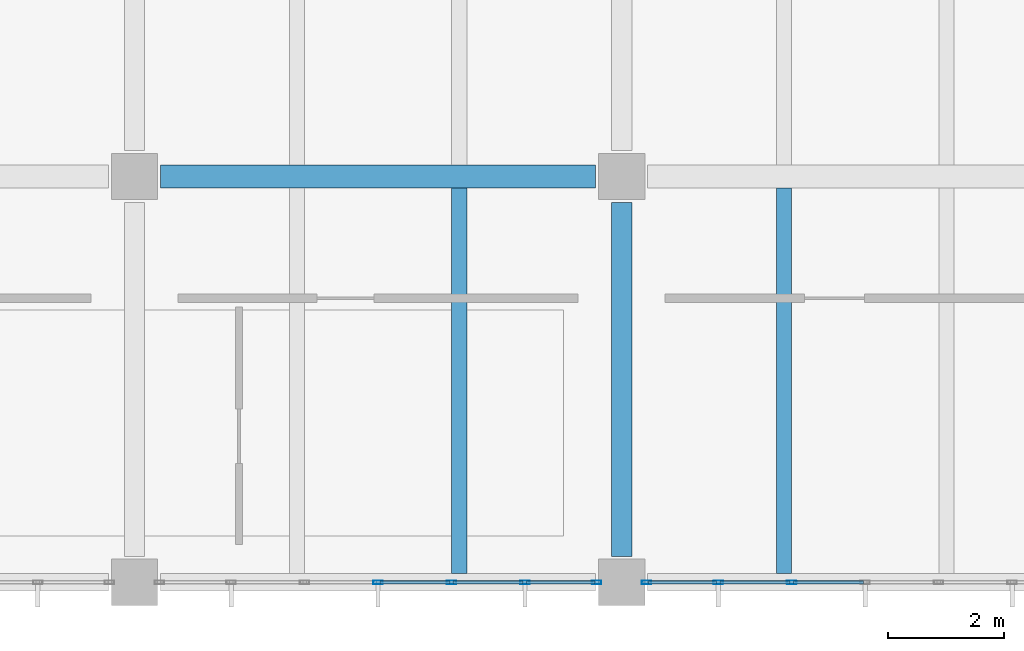
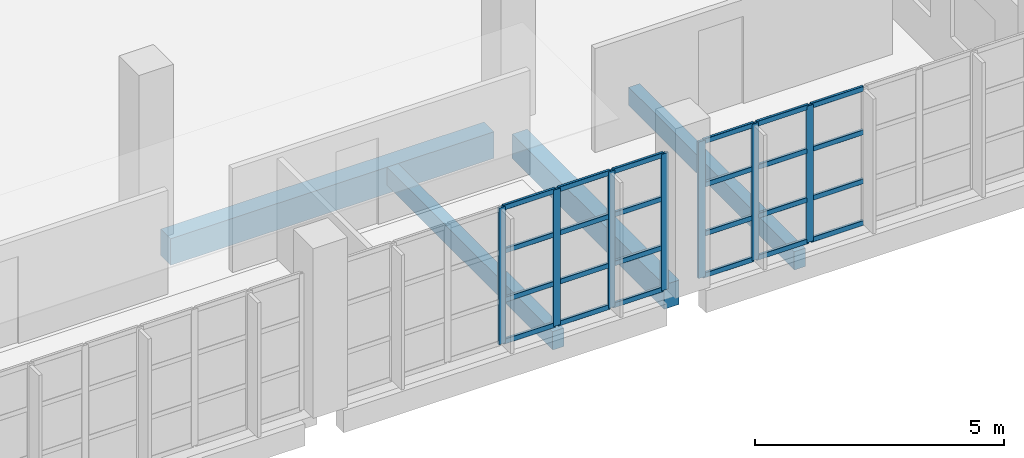
# One storey, part 42 of 177: 31 members, 4 beams, 2 elements without a shape of their own.
"""IFC4 building model written with IfcOpenShell, lengths in metres."""

from ifc_helpers import new_model, si_unit, direction, frame, origin, origin_2d, place, context, subcontext, project, spatial, rectangle, hollow_rectangle, extrude, material, layer, layer_set, material_profile, profile_set, type_object, element, aggregate, save


model = new_model("IFC4")

# Units and contexts
model_context = context("Model", 3, precision=1e-05, world=origin(), true_north=direction((0.0, 1.0)))
body_context = subcontext(model_context, "Body", "Model", "MODEL_VIEW")
ifc_project = project(units=[si_unit("LENGTHUNIT", "METRE"), si_unit("AREAUNIT", "SQUARE_METRE"), si_unit("VOLUMEUNIT", "CUBIC_METRE"), si_unit("PLANEANGLEUNIT", "RADIAN"), si_unit("MASSUNIT", "GRAM", prefix="KILO"), si_unit("THERMODYNAMICTEMPERATUREUNIT", "KELVIN"), si_unit("POWERUNIT", "WATT")], contexts=[model_context])

# Site, building, storey
site_placement = place(None, origin())
site = spatial("IfcSite", under=ifc_project, at=site_placement, CompositionType="ELEMENT")
building_placement = place(site_placement, origin())
building = spatial("IfcBuilding", under=site, at=building_placement, Name="Mavoryth Pier Ferry Terminal", CompositionType="ELEMENT")
storey_placement = place(building_placement, frame((0.0, 0.0, 5.43994140625)))
storey = spatial("IfcBuildingStorey", under=building, at=storey_placement, Name="L01", CompositionType="ELEMENT", Elevation=5.43994140625)

# Beams
ifc_material_1 = material(Name="Concrete C35/45", Category="concrete")
ifc_material_profile_1 = material_profile(ifc_material_1, rectangle(XDim=0.35009765625, YDim=0.60009765625, at=origin_2d()), Name="RC 350x600", Category="concrete")
ifc_profile_set_1 = profile_set([ifc_material_profile_1], Name="Concrete C35/45 - RC 350x600")
beam_type_1 = type_object("IfcBeamType", Name="Girder-RC-350x600", PredefinedType="BEAM", material=ifc_profile_set_1)
beam_1_placement = place(storey_placement, frame((84.0, 0.449951171875, -0.56005859375), z_axis=(0.0, 1.0, 0.0), x_axis=(-1.0, 0.0, 0.0)))
element("IfcBeam", 1, at=beam_1_placement, inside=storey, type_object=beam_type_1, Name="Beam B01-BG08-0549", PredefinedType="BEAM", context=body_context, shape_type="SweptSolid", body=[
    extrude(rectangle(XDim=0.35009765625, YDim=0.60009765625, at=origin_2d()), origin(), (0.0, 0.0, 1.0), 6.10009765625),
])
ifc_material_profile_2 = material_profile(ifc_material_1, rectangle(XDim=0.39990234375, YDim=0.64990234375, at=origin_2d()), Name="RC 400x650", Category="concrete")
ifc_profile_set_2 = profile_set([ifc_material_profile_2], Name="Concrete C35/45 - RC 400x650")
beam_type_2 = type_object("IfcBeamType", Name="Girder-RC-400x650", PredefinedType="BEAM", material=ifc_profile_set_2)
beam_2_placement = place(storey_placement, frame((76.050048828125, 7.0, -0.5849609375), z_axis=(1.0, 0.0, 0.0), x_axis=(0.0, 1.0, 0.0)))
element("IfcBeam", 2, at=beam_2_placement, inside=storey, type_object=beam_type_2, Name="Beam B01-BG05-0520", PredefinedType="BEAM", context=body_context, shape_type="SweptSolid", body=[
    extrude(rectangle(XDim=0.39990234375, YDim=0.64990234375, at=origin_2d()), origin(), (0.0, 0.0, 1.0), 7.5),
])
ifc_material_profile_3 = material_profile(ifc_material_1, rectangle(XDim=0.260009765625, YDim=0.449951171875, at=origin_2d()), Name="RC 260x450", Category="concrete")
ifc_profile_set_3 = profile_set([ifc_material_profile_3], Name="Concrete C35/45 - RC 260x450")
beam_type_3 = type_object("IfcBeamType", Name="Joist-RC-260x450", PredefinedType="JOIST", material=ifc_profile_set_3)
for number, where, z_axis, x_axis, name in (
    (3, (81.199951171875, 0.14990234375, -0.48486328125), (0.0, 1.0, 0.0), (-1.0, 0.0, 0.0), "Beam B01-BJ03-0576"),
    (4, (86.800048828125, 0.14990234375, -0.48486328125), (0.0, 1.0, 0.0), (-1.0, 0.0, 0.0), "Beam B01-BJ03-0581"),
):
    element("IfcBeam", number, at=place(storey_placement, frame(where, z_axis=z_axis, x_axis=x_axis)), inside=storey, type_object=beam_type_3, Name=name, PredefinedType="JOIST", context=body_context, shape_type="SweptSolid", body=[
        extrude(rectangle(XDim=0.260009765625, YDim=0.449951171875, at=origin_2d()), origin(), (0.0, 0.0, 1.0), 6.650146484375),
    ])

# Curtain wall, members
ifc_material_2 = material(Name="Anodised Aluminium and Solar-Control Low-E Glass", Category="aluminium")
ifc_layer = layer(ifc_material_2, 0.239990234375, Name="Anodised Aluminium and Solar-Control Low-E Glass", Category="aluminium")
ifc_layer_set = layer_set([ifc_layer], Name="Anodised Aluminium and Solar-Control Low-E Glass - CW-Operations-Mod1200")
curtain_wall_type = type_object("IfcCurtainWallType", Name="CW-Operations-Mod1200", PredefinedType="USERDEFINED", material=ifc_layer_set)
curtain_wall_1_placement = place(storey_placement, origin())
curtain_wall_1 = element("IfcCurtainWall", 5, at=curtain_wall_1_placement, inside=storey, type_object=curtain_wall_type, Name="Curtain Wall CW-0122-116", ObjectType="UNITISED CURTAIN WALL", PredefinedType="USERDEFINED")
ifc_material_3 = material(Name="Anodised Aluminium EN AW-6063", Category="aluminium")
ifc_material_profile_4 = material_profile(ifc_material_3, hollow_rectangle(XDim=0.06005859375, YDim=0.1650390625, WallThickness=0.00390625, InnerFilletRadius=0.00390625, OuterFilletRadius=0.008056640625, at=origin_2d()), Name="AL-MULL 165x60x4", Category="aluminium")
ifc_profile_set_4 = profile_set([ifc_material_profile_4], Name="Anodised Aluminium EN AW-6063 - AL-MULL 165x60x4")
member_type_1 = type_object("IfcMemberType", Name="Mullion-Alum-165x60", PredefinedType="MULLION", material=ifc_profile_set_4)
member_1_placement = place(storey_placement, frame((79.800048828125, 0.0, 0.0), z_axis=(0.0, 0.0, 1.0), x_axis=(0.0, 1.0, 0.0)))
member_1 = element("IfcMember", 6, at=member_1_placement, type_object=member_type_1, Name="CW06 mullion 4", PredefinedType="MULLION", context=body_context, shape_type="SweptSolid", body=[
    extrude(hollow_rectangle(XDim=0.06005859375, YDim=0.1650390625, WallThickness=0.00390625, InnerFilletRadius=0.00390625, OuterFilletRadius=0.008056640625, at=origin_2d()), origin(), (0.0, 0.0, 1.0), 3.344970703125),
])
member_2_placement = place(storey_placement, frame((81.066650390625, 0.0, 0.0), z_axis=(0.0, 0.0, 1.0), x_axis=(0.0, 1.0, 0.0)))
member_2 = element("IfcMember", 7, at=member_2_placement, type_object=member_type_1, Name="CW06 mullion 5", PredefinedType="MULLION", context=body_context, shape_type="SweptSolid", body=[
    extrude(hollow_rectangle(XDim=0.06005859375, YDim=0.1650390625, WallThickness=0.00390625, InnerFilletRadius=0.00390625, OuterFilletRadius=0.008056640625, at=origin_2d()), origin(), (0.0, 0.0, 1.0), 3.344970703125),
])
member_3_placement = place(storey_placement, frame((82.333251953125, 0.0, 0.0), z_axis=(0.0, 0.0, 1.0), x_axis=(0.0, 1.0, 0.0)))
member_3 = element("IfcMember", 8, at=member_3_placement, type_object=member_type_1, Name="CW06 mullion 6", PredefinedType="MULLION", context=body_context, shape_type="SweptSolid", body=[
    extrude(hollow_rectangle(XDim=0.06005859375, YDim=0.1650390625, WallThickness=0.00390625, InnerFilletRadius=0.00390625, OuterFilletRadius=0.008056640625, at=origin_2d()), origin(), (0.0, 0.0, 1.0), 3.344970703125),
])
member_4_placement = place(storey_placement, frame((83.570068359375, 0.0, 0.0), z_axis=(0.0, 0.0, 1.0), x_axis=(0.0, 1.0, 0.0)))
member_4 = element("IfcMember", 9, at=member_4_placement, type_object=member_type_1, Name="CW06 mullion 7", PredefinedType="MULLION", context=body_context, shape_type="SweptSolid", body=[
    extrude(hollow_rectangle(XDim=0.06005859375, YDim=0.1650390625, WallThickness=0.00390625, InnerFilletRadius=0.00390625, OuterFilletRadius=0.008056640625, at=origin_2d()), origin(), (0.0, 0.0, 1.0), 3.344970703125),
])

curtain_wall_2_placement = place(storey_placement, origin())
curtain_wall_2 = element("IfcCurtainWall", 10, at=curtain_wall_2_placement, inside=storey, type_object=curtain_wall_type, Name="Curtain Wall CW-0122-118", ObjectType="UNITISED CURTAIN WALL", PredefinedType="USERDEFINED")
member_5_placement = place(storey_placement, frame((84.429931640625, 0.0, 0.0), z_axis=(0.0, 0.0, 1.0), x_axis=(0.0, 1.0, 0.0)))
member_5 = element("IfcMember", 11, at=member_5_placement, type_object=member_type_1, Name="CW06 mullion 1", PredefinedType="MULLION", context=body_context, shape_type="SweptSolid", body=[
    extrude(hollow_rectangle(XDim=0.06005859375, YDim=0.1650390625, WallThickness=0.00390625, InnerFilletRadius=0.00390625, OuterFilletRadius=0.008056640625, at=origin_2d()), origin(), (0.0, 0.0, 1.0), 3.344970703125),
])
member_6_placement = place(storey_placement, frame((85.666748046875, 0.0, 0.0), z_axis=(0.0, 0.0, 1.0), x_axis=(0.0, 1.0, 0.0)))
member_6 = element("IfcMember", 12, at=member_6_placement, type_object=member_type_1, Name="CW06 mullion 2", PredefinedType="MULLION", context=body_context, shape_type="SweptSolid", body=[
    extrude(hollow_rectangle(XDim=0.06005859375, YDim=0.1650390625, WallThickness=0.00390625, InnerFilletRadius=0.00390625, OuterFilletRadius=0.008056640625, at=origin_2d()), origin(), (0.0, 0.0, 1.0), 3.344970703125),
])
member_7_placement = place(storey_placement, frame((86.933349609375, 0.0, 0.0), z_axis=(0.0, 0.0, 1.0), x_axis=(0.0, 1.0, 0.0)))
member_7 = element("IfcMember", 13, at=member_7_placement, type_object=member_type_1, Name="CW06 mullion 3", PredefinedType="MULLION", context=body_context, shape_type="SweptSolid", body=[
    extrude(hollow_rectangle(XDim=0.06005859375, YDim=0.1650390625, WallThickness=0.00390625, InnerFilletRadius=0.00390625, OuterFilletRadius=0.008056640625, at=origin_2d()), origin(), (0.0, 0.0, 1.0), 3.344970703125),
])

# Member
ifc_material_profile_5 = material_profile(ifc_material_3, hollow_rectangle(XDim=0.06005859375, YDim=0.125, WallThickness=0.00390625, InnerFilletRadius=0.00390625, OuterFilletRadius=0.008056640625, at=origin_2d()), Name="AL-TRAN 125x60x4", Category="aluminium")
ifc_profile_set_5 = profile_set([ifc_material_profile_5], Name="Anodised Aluminium EN AW-6063 - AL-TRAN 125x60x4")
member_type_2 = type_object("IfcMemberType", Name="Transom-Alum-125x60", PredefinedType="USERDEFINED", material=ifc_profile_set_5)
member_8_placement = place(storey_placement, frame((79.830078125, 0.0, 0.030029296875), z_axis=(1.0, 0.0, 0.0), x_axis=(0.0, 1.0, 0.0)))
member_8 = element("IfcMember", 14, at=member_8_placement, type_object=member_type_2, Name="CW06 transom 4.1", ObjectType="TRANSOM", PredefinedType="USERDEFINED", context=body_context, shape_type="SweptSolid", body=[
    extrude(hollow_rectangle(XDim=0.06005859375, YDim=0.125, WallThickness=0.00390625, InnerFilletRadius=0.00390625, OuterFilletRadius=0.008056640625, at=origin_2d()), origin(), (0.0, 0.0, 1.0), 1.20654296875),
])

member_9_placement = place(storey_placement, frame((79.830078125, 0.0, 1.050048828125), z_axis=(1.0, 0.0, 0.0), x_axis=(0.0, 1.0, 0.0)))
member_9 = element("IfcMember", 15, at=member_9_placement, type_object=member_type_2, Name="CW06 transom 4.2", ObjectType="TRANSOM", PredefinedType="USERDEFINED", context=body_context, shape_type="SweptSolid", body=[
    extrude(hollow_rectangle(XDim=0.06005859375, YDim=0.125, WallThickness=0.00390625, InnerFilletRadius=0.00390625, OuterFilletRadius=0.008056640625, at=origin_2d()), origin(), (0.0, 0.0, 1.0), 1.20654296875),
])

member_10_placement = place(storey_placement, frame((79.830078125, 0.0, 2.25), z_axis=(1.0, 0.0, 0.0), x_axis=(0.0, 1.0, 0.0)))
member_10 = element("IfcMember", 16, at=member_10_placement, type_object=member_type_2, Name="CW06 transom 4.3", ObjectType="TRANSOM", PredefinedType="USERDEFINED", context=body_context, shape_type="SweptSolid", body=[
    extrude(hollow_rectangle(XDim=0.06005859375, YDim=0.125, WallThickness=0.00390625, InnerFilletRadius=0.00390625, OuterFilletRadius=0.008056640625, at=origin_2d()), origin(), (0.0, 0.0, 1.0), 1.20654296875),
])

member_11_placement = place(storey_placement, frame((79.830078125, 0.0, 3.31494140625), z_axis=(1.0, 0.0, 0.0), x_axis=(0.0, 1.0, 0.0)))
member_11 = element("IfcMember", 17, at=member_11_placement, type_object=member_type_2, Name="CW06 transom 4.4", ObjectType="TRANSOM", PredefinedType="USERDEFINED", context=body_context, shape_type="SweptSolid", body=[
    extrude(hollow_rectangle(XDim=0.06005859375, YDim=0.125, WallThickness=0.00390625, InnerFilletRadius=0.00390625, OuterFilletRadius=0.008056640625, at=origin_2d()), origin(), (0.0, 0.0, 1.0), 1.20654296875),
])

member_12_placement = place(storey_placement, frame((81.0966796875, 0.0, 0.030029296875), z_axis=(1.0, 0.0, 0.0), x_axis=(0.0, 1.0, 0.0)))
member_12 = element("IfcMember", 18, at=member_12_placement, type_object=member_type_2, Name="CW06 transom 5.1", ObjectType="TRANSOM", PredefinedType="USERDEFINED", context=body_context, shape_type="SweptSolid", body=[
    extrude(hollow_rectangle(XDim=0.06005859375, YDim=0.125, WallThickness=0.00390625, InnerFilletRadius=0.00390625, OuterFilletRadius=0.008056640625, at=origin_2d()), origin(), (0.0, 0.0, 1.0), 1.20654296875),
])

member_13_placement = place(storey_placement, frame((81.0966796875, 0.0, 1.050048828125), z_axis=(1.0, 0.0, 0.0), x_axis=(0.0, 1.0, 0.0)))
member_13 = element("IfcMember", 19, at=member_13_placement, type_object=member_type_2, Name="CW06 transom 5.2", ObjectType="TRANSOM", PredefinedType="USERDEFINED", context=body_context, shape_type="SweptSolid", body=[
    extrude(hollow_rectangle(XDim=0.06005859375, YDim=0.125, WallThickness=0.00390625, InnerFilletRadius=0.00390625, OuterFilletRadius=0.008056640625, at=origin_2d()), origin(), (0.0, 0.0, 1.0), 1.20654296875),
])

member_14_placement = place(storey_placement, frame((81.0966796875, 0.0, 2.25), z_axis=(1.0, 0.0, 0.0), x_axis=(0.0, 1.0, 0.0)))
member_14 = element("IfcMember", 20, at=member_14_placement, type_object=member_type_2, Name="CW06 transom 5.3", ObjectType="TRANSOM", PredefinedType="USERDEFINED", context=body_context, shape_type="SweptSolid", body=[
    extrude(hollow_rectangle(XDim=0.06005859375, YDim=0.125, WallThickness=0.00390625, InnerFilletRadius=0.00390625, OuterFilletRadius=0.008056640625, at=origin_2d()), origin(), (0.0, 0.0, 1.0), 1.20654296875),
])

member_15_placement = place(storey_placement, frame((81.0966796875, 0.0, 3.31494140625), z_axis=(1.0, 0.0, 0.0), x_axis=(0.0, 1.0, 0.0)))
member_15 = element("IfcMember", 21, at=member_15_placement, type_object=member_type_2, Name="CW06 transom 5.4", ObjectType="TRANSOM", PredefinedType="USERDEFINED", context=body_context, shape_type="SweptSolid", body=[
    extrude(hollow_rectangle(XDim=0.06005859375, YDim=0.125, WallThickness=0.00390625, InnerFilletRadius=0.00390625, OuterFilletRadius=0.008056640625, at=origin_2d()), origin(), (0.0, 0.0, 1.0), 1.20654296875),
])

member_16_placement = place(storey_placement, frame((82.36328125, 0.0, 0.030029296875), z_axis=(1.0, 0.0, 0.0), x_axis=(0.0, 1.0, 0.0)))
member_16 = element("IfcMember", 22, at=member_16_placement, type_object=member_type_2, Name="CW06 transom 6.1", ObjectType="TRANSOM", PredefinedType="USERDEFINED", context=body_context, shape_type="SweptSolid", body=[
    extrude(hollow_rectangle(XDim=0.06005859375, YDim=0.125, WallThickness=0.00390625, InnerFilletRadius=0.00390625, OuterFilletRadius=0.008056640625, at=origin_2d()), origin(), (0.0, 0.0, 1.0), 1.1767578125),
])

member_17_placement = place(storey_placement, frame((82.36328125, 0.0, 1.050048828125), z_axis=(1.0, 0.0, 0.0), x_axis=(0.0, 1.0, 0.0)))
member_17 = element("IfcMember", 23, at=member_17_placement, type_object=member_type_2, Name="CW06 transom 6.2", ObjectType="TRANSOM", PredefinedType="USERDEFINED", context=body_context, shape_type="SweptSolid", body=[
    extrude(hollow_rectangle(XDim=0.06005859375, YDim=0.125, WallThickness=0.00390625, InnerFilletRadius=0.00390625, OuterFilletRadius=0.008056640625, at=origin_2d()), origin(), (0.0, 0.0, 1.0), 1.1767578125),
])

member_18_placement = place(storey_placement, frame((82.36328125, 0.0, 2.25), z_axis=(1.0, 0.0, 0.0), x_axis=(0.0, 1.0, 0.0)))
member_18 = element("IfcMember", 24, at=member_18_placement, type_object=member_type_2, Name="CW06 transom 6.3", ObjectType="TRANSOM", PredefinedType="USERDEFINED", context=body_context, shape_type="SweptSolid", body=[
    extrude(hollow_rectangle(XDim=0.06005859375, YDim=0.125, WallThickness=0.00390625, InnerFilletRadius=0.00390625, OuterFilletRadius=0.008056640625, at=origin_2d()), origin(), (0.0, 0.0, 1.0), 1.1767578125),
])

member_19_placement = place(storey_placement, frame((82.36328125, 0.0, 3.31494140625), z_axis=(1.0, 0.0, 0.0), x_axis=(0.0, 1.0, 0.0)))
member_19 = element("IfcMember", 25, at=member_19_placement, type_object=member_type_2, Name="CW06 transom 6.4", ObjectType="TRANSOM", PredefinedType="USERDEFINED", context=body_context, shape_type="SweptSolid", body=[
    extrude(hollow_rectangle(XDim=0.06005859375, YDim=0.125, WallThickness=0.00390625, InnerFilletRadius=0.00390625, OuterFilletRadius=0.008056640625, at=origin_2d()), origin(), (0.0, 0.0, 1.0), 1.1767578125),
])

aggregate(curtain_wall_1, [member_1, member_2, member_3, member_4, member_8, member_9, member_10, member_11, member_12, member_13, member_14, member_15, member_16, member_17, member_18, member_19])

member_20_placement = place(storey_placement, frame((84.4599609375, 0.0, 0.030029296875), z_axis=(1.0, 0.0, 0.0), x_axis=(0.0, 1.0, 0.0)))
member_20 = element("IfcMember", 26, at=member_20_placement, type_object=member_type_2, Name="CW06 transom 1.1", ObjectType="TRANSOM", PredefinedType="USERDEFINED", context=body_context, shape_type="SweptSolid", body=[
    extrude(hollow_rectangle(XDim=0.06005859375, YDim=0.125, WallThickness=0.00390625, InnerFilletRadius=0.00390625, OuterFilletRadius=0.008056640625, at=origin_2d()), origin(), (0.0, 0.0, 1.0), 1.1767578125),
])

member_21_placement = place(storey_placement, frame((84.4599609375, 0.0, 1.050048828125), z_axis=(1.0, 0.0, 0.0), x_axis=(0.0, 1.0, 0.0)))
member_21 = element("IfcMember", 27, at=member_21_placement, type_object=member_type_2, Name="CW06 transom 1.2", ObjectType="TRANSOM", PredefinedType="USERDEFINED", context=body_context, shape_type="SweptSolid", body=[
    extrude(hollow_rectangle(XDim=0.06005859375, YDim=0.125, WallThickness=0.00390625, InnerFilletRadius=0.00390625, OuterFilletRadius=0.008056640625, at=origin_2d()), origin(), (0.0, 0.0, 1.0), 1.1767578125),
])

member_22_placement = place(storey_placement, frame((84.4599609375, 0.0, 2.25), z_axis=(1.0, 0.0, 0.0), x_axis=(0.0, 1.0, 0.0)))
member_22 = element("IfcMember", 28, at=member_22_placement, type_object=member_type_2, Name="CW06 transom 1.3", ObjectType="TRANSOM", PredefinedType="USERDEFINED", context=body_context, shape_type="SweptSolid", body=[
    extrude(hollow_rectangle(XDim=0.06005859375, YDim=0.125, WallThickness=0.00390625, InnerFilletRadius=0.00390625, OuterFilletRadius=0.008056640625, at=origin_2d()), origin(), (0.0, 0.0, 1.0), 1.1767578125),
])

member_23_placement = place(storey_placement, frame((84.4599609375, 0.0, 3.31494140625), z_axis=(1.0, 0.0, 0.0), x_axis=(0.0, 1.0, 0.0)))
member_23 = element("IfcMember", 29, at=member_23_placement, type_object=member_type_2, Name="CW06 transom 1.4", ObjectType="TRANSOM", PredefinedType="USERDEFINED", context=body_context, shape_type="SweptSolid", body=[
    extrude(hollow_rectangle(XDim=0.06005859375, YDim=0.125, WallThickness=0.00390625, InnerFilletRadius=0.00390625, OuterFilletRadius=0.008056640625, at=origin_2d()), origin(), (0.0, 0.0, 1.0), 1.1767578125),
])

member_24_placement = place(storey_placement, frame((85.69677734375, 0.0, 0.030029296875), z_axis=(1.0, 0.0, 0.0), x_axis=(0.0, 1.0, 0.0)))
member_24 = element("IfcMember", 30, at=member_24_placement, type_object=member_type_2, Name="CW06 transom 2.1", ObjectType="TRANSOM", PredefinedType="USERDEFINED", context=body_context, shape_type="SweptSolid", body=[
    extrude(hollow_rectangle(XDim=0.06005859375, YDim=0.125, WallThickness=0.00390625, InnerFilletRadius=0.00390625, OuterFilletRadius=0.008056640625, at=origin_2d()), origin(), (0.0, 0.0, 1.0), 1.20654296875),
])

member_25_placement = place(storey_placement, frame((85.69677734375, 0.0, 1.050048828125), z_axis=(1.0, 0.0, 0.0), x_axis=(0.0, 1.0, 0.0)))
member_25 = element("IfcMember", 31, at=member_25_placement, type_object=member_type_2, Name="CW06 transom 2.2", ObjectType="TRANSOM", PredefinedType="USERDEFINED", context=body_context, shape_type="SweptSolid", body=[
    extrude(hollow_rectangle(XDim=0.06005859375, YDim=0.125, WallThickness=0.00390625, InnerFilletRadius=0.00390625, OuterFilletRadius=0.008056640625, at=origin_2d()), origin(), (0.0, 0.0, 1.0), 1.20654296875),
])

member_26_placement = place(storey_placement, frame((85.69677734375, 0.0, 2.25), z_axis=(1.0, 0.0, 0.0), x_axis=(0.0, 1.0, 0.0)))
member_26 = element("IfcMember", 32, at=member_26_placement, type_object=member_type_2, Name="CW06 transom 2.3", ObjectType="TRANSOM", PredefinedType="USERDEFINED", context=body_context, shape_type="SweptSolid", body=[
    extrude(hollow_rectangle(XDim=0.06005859375, YDim=0.125, WallThickness=0.00390625, InnerFilletRadius=0.00390625, OuterFilletRadius=0.008056640625, at=origin_2d()), origin(), (0.0, 0.0, 1.0), 1.20654296875),
])

member_27_placement = place(storey_placement, frame((85.69677734375, 0.0, 3.31494140625), z_axis=(1.0, 0.0, 0.0), x_axis=(0.0, 1.0, 0.0)))
member_27 = element("IfcMember", 33, at=member_27_placement, type_object=member_type_2, Name="CW06 transom 2.4", ObjectType="TRANSOM", PredefinedType="USERDEFINED", context=body_context, shape_type="SweptSolid", body=[
    extrude(hollow_rectangle(XDim=0.06005859375, YDim=0.125, WallThickness=0.00390625, InnerFilletRadius=0.00390625, OuterFilletRadius=0.008056640625, at=origin_2d()), origin(), (0.0, 0.0, 1.0), 1.20654296875),
])

member_28_placement = place(storey_placement, frame((86.96337890625, 0.0, 0.030029296875), z_axis=(1.0, 0.0, 0.0), x_axis=(0.0, 1.0, 0.0)))
member_28 = element("IfcMember", 34, at=member_28_placement, type_object=member_type_2, Name="CW06 transom 3.1", ObjectType="TRANSOM", PredefinedType="USERDEFINED", context=body_context, shape_type="SweptSolid", body=[
    extrude(hollow_rectangle(XDim=0.06005859375, YDim=0.125, WallThickness=0.00390625, InnerFilletRadius=0.00390625, OuterFilletRadius=0.008056640625, at=origin_2d()), origin(), (0.0, 0.0, 1.0), 1.20654296875),
])

member_29_placement = place(storey_placement, frame((86.96337890625, 0.0, 1.050048828125), z_axis=(1.0, 0.0, 0.0), x_axis=(0.0, 1.0, 0.0)))
member_29 = element("IfcMember", 35, at=member_29_placement, type_object=member_type_2, Name="CW06 transom 3.2", ObjectType="TRANSOM", PredefinedType="USERDEFINED", context=body_context, shape_type="SweptSolid", body=[
    extrude(hollow_rectangle(XDim=0.06005859375, YDim=0.125, WallThickness=0.00390625, InnerFilletRadius=0.00390625, OuterFilletRadius=0.008056640625, at=origin_2d()), origin(), (0.0, 0.0, 1.0), 1.20654296875),
])

member_30_placement = place(storey_placement, frame((86.96337890625, 0.0, 2.25), z_axis=(1.0, 0.0, 0.0), x_axis=(0.0, 1.0, 0.0)))
member_30 = element("IfcMember", 36, at=member_30_placement, type_object=member_type_2, Name="CW06 transom 3.3", ObjectType="TRANSOM", PredefinedType="USERDEFINED", context=body_context, shape_type="SweptSolid", body=[
    extrude(hollow_rectangle(XDim=0.06005859375, YDim=0.125, WallThickness=0.00390625, InnerFilletRadius=0.00390625, OuterFilletRadius=0.008056640625, at=origin_2d()), origin(), (0.0, 0.0, 1.0), 1.20654296875),
])

member_31_placement = place(storey_placement, frame((86.96337890625, 0.0, 3.31494140625), z_axis=(1.0, 0.0, 0.0), x_axis=(0.0, 1.0, 0.0)))
member_31 = element("IfcMember", 37, at=member_31_placement, type_object=member_type_2, Name="CW06 transom 3.4", ObjectType="TRANSOM", PredefinedType="USERDEFINED", context=body_context, shape_type="SweptSolid", body=[
    extrude(hollow_rectangle(XDim=0.06005859375, YDim=0.125, WallThickness=0.00390625, InnerFilletRadius=0.00390625, OuterFilletRadius=0.008056640625, at=origin_2d()), origin(), (0.0, 0.0, 1.0), 1.20654296875),
])

aggregate(curtain_wall_2, [member_5, member_6, member_7, member_20, member_21, member_22, member_23, member_24, member_25, member_26, member_27, member_28, member_29, member_30, member_31])

save(model, "model.ifc")
